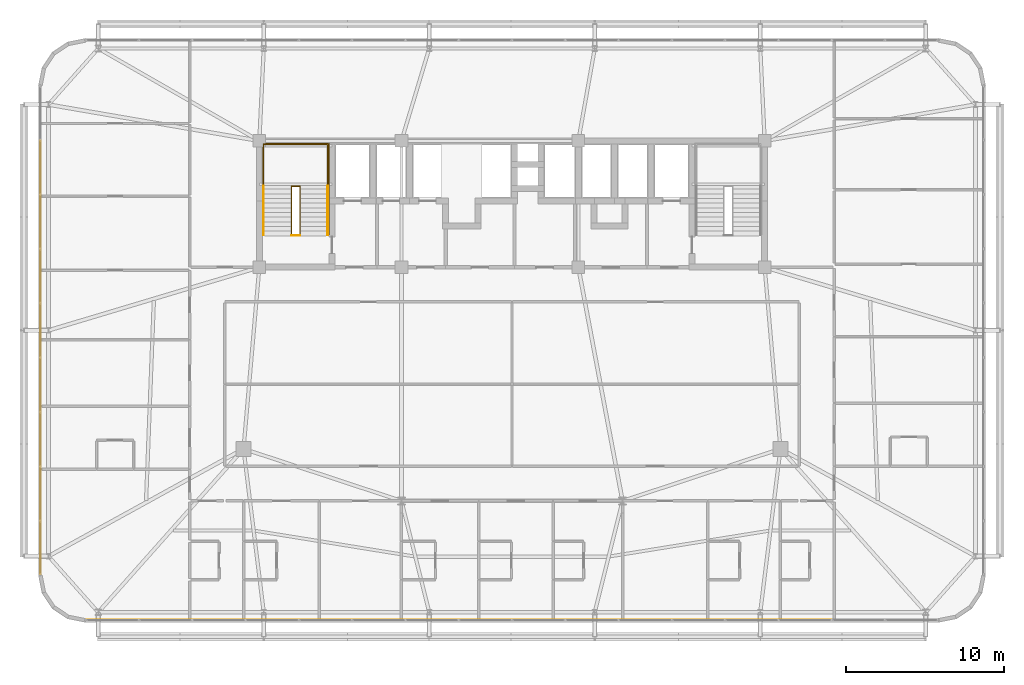
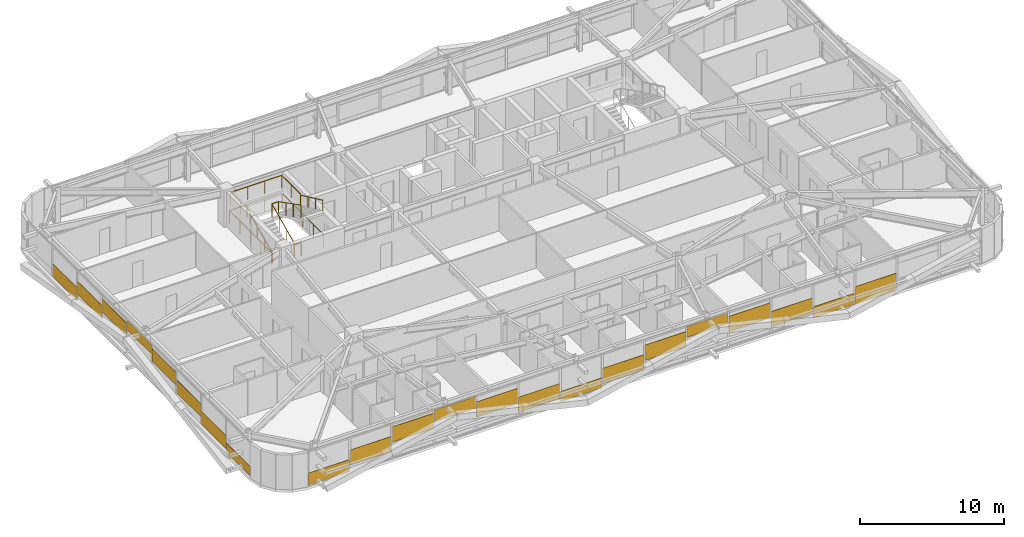
# One storey, part 57 of 59: 22 coverings, 6 railings.
"""IFC4 building model written with IfcOpenShell, lengths in metres."""

from ifc_helpers import new_model, si_unit, direction, frame, origin, origin_2d, place, context, subcontext, project, spatial, rectangle, extrude, source, transform, mapped, material, layer, layer_set, type_object, element, save


model = new_model("IFC4")

# Units and contexts
model_context = context("Model", 3, precision=1e-05, world=origin(), true_north=direction((0.0, 1.0)))
body_context = subcontext(model_context, "Body", "Model", "MODEL_VIEW")
ifc_project = project(units=[si_unit("LENGTHUNIT", "METRE"), si_unit("AREAUNIT", "SQUARE_METRE"), si_unit("VOLUMEUNIT", "CUBIC_METRE"), si_unit("PLANEANGLEUNIT", "RADIAN"), si_unit("MASSUNIT", "GRAM", prefix="KILO")], contexts=[model_context])

# Site, building, storey
site_placement = place(None, origin())
site = spatial("IfcSite", under=ifc_project, at=site_placement, CompositionType="ELEMENT")
building_placement = place(site_placement, origin())
building = spatial("IfcBuilding", under=site, at=building_placement, Name="Taldren Reach Tower", CompositionType="ELEMENT")
storey_placement = place(building_placement, frame((0.0, 0.0, 23.10009765625)))
storey = spatial("IfcBuildingStorey", under=building, at=storey_placement, Name="L06", CompositionType="ELEMENT", Elevation=23.10009765625)

# Railings
ifc_material_1 = material(Name="Steel Gr 350 (C350L0)", Category="steel")
ifc_layer_1 = layer(ifc_material_1, 0.050048828125)
ifc_layer_set_1 = layer_set([ifc_layer_1], Name="Steel Gr 350 (C350L0)")
railing_type_1 = type_object("IfcRailingType", Name="RL-STAIR-GR", PredefinedType="GUARDRAIL", material=ifc_layer_set_1)
railing_1_placement = place(storey_placement, frame((19.260009765625, 29.135009765625, 1.574951171875)))
element("IfcRailing", 1, at=railing_1_placement, inside=storey, type_object=railing_type_1, Name="Stair half-landing perimeter guard ST1-L06", PredefinedType="GUARDRAIL", context=body_context, shape_type="SweptSolid", body=[
    extrude(rectangle(XDim=0.047852, YDim=0.047852, at=origin_2d()), frame((0.0, 0.0, 1.09619140625), z_axis=(0.0, 1.0, 0.0), x_axis=(-1.0, 0.0, 0.0)), (0.0, 0.0, 1.0), 2.64501953125),
    extrude(rectangle(XDim=0.047852, YDim=0.047852, at=origin_2d()), frame((0.0, 2.64501953125, 1.09619140625), z_axis=(1.0, 0.0, 0.0), x_axis=(0.0, 1.0, 0.0)), (0.0, 0.0, 1.0), 4.080078125),
    extrude(rectangle(XDim=0.047852, YDim=0.047852, at=origin_2d()), frame((4.080078125, 2.64501953125, 1.09619140625), z_axis=(0.0, -1.0, 0.0), x_axis=(1.0, 0.0, 0.0)), (0.0, 0.0, 1.0), 2.64501953125),
    extrude(rectangle(XDim=0.041992, YDim=0.041992, at=origin_2d()), origin(), (0.0, 0.0, 1.0), 1.072021484375),
    extrude(rectangle(XDim=0.041992, YDim=0.041992, at=origin_2d()), frame((0.0, 1.322509765625, 0.0)), (0.0, 0.0, 1.0), 1.072021484375),
    extrude(rectangle(XDim=0.041992, YDim=0.041992, at=origin_2d()), frame((0.0, 2.64501953125, 0.0)), (0.0, 0.0, 1.0), 1.072021484375),
    extrude(rectangle(XDim=0.041992, YDim=0.041992, at=origin_2d()), frame((1.360107421875, 2.64501953125, 0.0)), (0.0, 0.0, 1.0), 1.072021484375),
    extrude(rectangle(XDim=0.041992, YDim=0.041992, at=origin_2d()), frame((2.719970703125, 2.64501953125, 0.0)), (0.0, 0.0, 1.0), 1.072021484375),
    extrude(rectangle(XDim=0.041992, YDim=0.041992, at=origin_2d()), frame((4.080078125, 2.64501953125, 0.0)), (0.0, 0.0, 1.0), 1.072021484375),
    extrude(rectangle(XDim=0.041992, YDim=0.041992, at=origin_2d()), frame((4.080078125, 1.322509765625, 0.0)), (0.0, 0.0, 1.0), 1.072021484375),
    extrude(rectangle(XDim=0.041992, YDim=0.041992, at=origin_2d()), frame((4.080078125, 0.0, 0.0)), (0.0, 0.0, 1.0), 1.072021484375),
])
railing_2_placement = place(storey_placement, frame((21.030029296875, 26.050048828125, 0.131103515625)))
element("IfcRailing", 2, at=railing_2_placement, inside=storey, type_object=railing_type_1, Name="Stairwell inner guard ST1-L06", PredefinedType="GUARDRAIL", context=body_context, shape_type="SweptSolid", body=[
    extrude(rectangle(XDim=0.047852, YDim=0.047852, at=origin_2d()), frame((0.0, 0.0, 1.09619140625), z_axis=(0.0, 0.905710134349, 0.423897573167), x_axis=(-1.0, 0.0, 0.0)), (0.0, 0.0, 1.0), 3.406005859375),
    extrude(rectangle(XDim=0.047852, YDim=0.047852, at=origin_2d()), frame((0.0, 3.0849609375, 2.5400390625), z_axis=(1.0, 0.0, 0.0), x_axis=(0.0, 1.0, 0.0)), (0.0, 0.0, 1.0), 0.5400390625),
    extrude(rectangle(XDim=0.047852, YDim=0.047852, at=origin_2d()), frame((0.5400390625, 3.0849609375, 2.5400390625), z_axis=(0.0, -0.890645957773, 0.45469745755), x_axis=(1.0, 0.0, 0.0)), (0.0, 0.0, 1.0), 3.463623046875),
    extrude(rectangle(XDim=0.041992, YDim=0.041992, at=origin_2d()), origin(), (0.0, 0.0, 1.0), 1.072021484375),
    extrude(rectangle(XDim=0.041992, YDim=0.041992, at=origin_2d()), frame((0.0, 1.0283203125, 0.481201171875)), (0.0, 0.0, 1.0), 1.072021484375),
    extrude(rectangle(XDim=0.041992, YDim=0.041992, at=origin_2d()), frame((0.0, 2.056640625, 0.962646484375)), (0.0, 0.0, 1.0), 1.072021484375),
    extrude(rectangle(XDim=0.041992, YDim=0.041992, at=origin_2d()), frame((0.0, 3.0849609375, 1.44384765625)), (0.0, 0.0, 1.0), 1.072021484375),
    extrude(rectangle(XDim=0.041992, YDim=0.041992, at=origin_2d()), frame((0.5400390625, 3.0849609375, 1.44384765625)), (0.0, 0.0, 1.0), 1.072021484375),
    extrude(rectangle(XDim=0.041992, YDim=0.041992, at=origin_2d()), frame((0.5400390625, 2.056640625, 1.96875)), (0.0, 0.0, 1.0), 1.072021484375),
    extrude(rectangle(XDim=0.041992, YDim=0.041992, at=origin_2d()), frame((0.5400390625, 1.0283203125, 2.493896484375)), (0.0, 0.0, 1.0), 1.072021484375),
    extrude(rectangle(XDim=0.041992, YDim=0.041992, at=origin_2d()), frame((0.5400390625, 0.0, 3.018798828125)), (0.0, 0.0, 1.0), 1.072021484375),
])
railing_3_placement = place(storey_placement, frame((21.030029296875, 26.010009765625, 0.0)))
element("IfcRailing", 3, at=railing_3_placement, inside=storey, type_object=railing_type_1, Name="Stairwell landing slot guard ST1-L06", PredefinedType="GUARDRAIL", context=body_context, shape_type="SweptSolid", body=[
    extrude(rectangle(XDim=0.047852, YDim=0.047852, at=origin_2d()), frame((0.0, 0.0, 1.09619140625), z_axis=(1.0, 0.0, 0.0), x_axis=(0.0, 1.0, 0.0)), (0.0, 0.0, 1.0), 0.5400390625),
    extrude(rectangle(XDim=0.041992, YDim=0.041992, at=origin_2d()), origin(), (0.0, 0.0, 1.0), 1.072021484375),
    extrude(rectangle(XDim=0.041992, YDim=0.041992, at=origin_2d()), frame((0.5400390625, 0.0, 0.0)), (0.0, 0.0, 1.0), 1.072021484375),
])
railing_4_placement = place(storey_placement, frame((19.18994140625, 26.050048828125, 0.0)))
element("IfcRailing", 4, at=railing_4_placement, inside=storey, type_object=railing_type_1, Name="Stairwell floor opening guard ST1-L06", PredefinedType="GUARDRAIL", context=body_context, shape_type="SweptSolid", body=[
    extrude(rectangle(XDim=0.047852, YDim=0.047852, at=origin_2d()), frame((0.0, 0.0, 1.09619140625), z_axis=(0.0, 1.0, 0.0), x_axis=(-1.0, 0.0, 0.0)), (0.0, 0.0, 1.0), 5.800048828125),
    extrude(rectangle(XDim=0.047852, YDim=0.047852, at=origin_2d()), frame((0.0, 5.800048828125, 1.09619140625), z_axis=(1.0, 0.0, 0.0), x_axis=(0.0, 1.0, 0.0)), (0.0, 0.0, 1.0), 4.219970703125),
    extrude(rectangle(XDim=0.047852, YDim=0.047852, at=origin_2d()), frame((4.219970703125, 5.800048828125, 1.09619140625), z_axis=(0.0, -1.0, 0.0), x_axis=(1.0, 0.0, 0.0)), (0.0, 0.0, 1.0), 5.800048828125),
    extrude(rectangle(XDim=0.041992, YDim=0.041992, at=origin_2d()), origin(), (0.0, 0.0, 1.0), 1.072021484375),
    extrude(rectangle(XDim=0.041992, YDim=0.041992, at=origin_2d()), frame((0.0, 1.449951171875, 0.0)), (0.0, 0.0, 1.0), 1.072021484375),
    extrude(rectangle(XDim=0.041992, YDim=0.041992, at=origin_2d()), frame((0.0, 2.89990234375, 0.0)), (0.0, 0.0, 1.0), 1.072021484375),
    extrude(rectangle(XDim=0.041992, YDim=0.041992, at=origin_2d()), frame((0.0, 4.35009765625, 0.0)), (0.0, 0.0, 1.0), 1.072021484375),
    extrude(rectangle(XDim=0.041992, YDim=0.041992, at=origin_2d()), frame((0.0, 5.800048828125, 0.0)), (0.0, 0.0, 1.0), 1.072021484375),
    extrude(rectangle(XDim=0.041992, YDim=0.041992, at=origin_2d()), frame((1.40673828125, 5.800048828125, 0.0)), (0.0, 0.0, 1.0), 1.072021484375),
    extrude(rectangle(XDim=0.041992, YDim=0.041992, at=origin_2d()), frame((2.813232421875, 5.800048828125, 0.0)), (0.0, 0.0, 1.0), 1.072021484375),
    extrude(rectangle(XDim=0.041992, YDim=0.041992, at=origin_2d()), frame((4.219970703125, 5.800048828125, 0.0)), (0.0, 0.0, 1.0), 1.072021484375),
    extrude(rectangle(XDim=0.041992, YDim=0.041992, at=origin_2d()), frame((4.219970703125, 4.35009765625, 0.0)), (0.0, 0.0, 1.0), 1.072021484375),
    extrude(rectangle(XDim=0.041992, YDim=0.041992, at=origin_2d()), frame((4.219970703125, 2.89990234375, 0.0)), (0.0, 0.0, 1.0), 1.072021484375),
    extrude(rectangle(XDim=0.041992, YDim=0.041992, at=origin_2d()), frame((4.219970703125, 1.449951171875, 0.0)), (0.0, 0.0, 1.0), 1.072021484375),
    extrude(rectangle(XDim=0.041992, YDim=0.041992, at=origin_2d()), frame((4.219970703125, 0.0, 0.0)), (0.0, 0.0, 1.0), 1.072021484375),
])
ifc_material_2 = material(Name="Stainless Steel Gr 316", Category="steel")
ifc_layer_2 = layer(ifc_material_2, 0.048095703125)
ifc_layer_set_2 = layer_set([ifc_layer_2], Name="Stainless Steel Gr 316")
railing_type_2 = type_object("IfcRailingType", Name="RL-STAIR-HR", PredefinedType="HANDRAIL", material=ifc_layer_set_2)
railing_5_placement = place(storey_placement, frame((19.27001953125, 26.050048828125, 0.131103515625)))
element("IfcRailing", 5, at=railing_5_placement, inside=storey, type_object=railing_type_2, Name="Stair flight handrail ST1-L06-1", PredefinedType="HANDRAIL", context=body_context, shape_type="SweptSolid", body=[
    extrude(rectangle(XDim=0.047852, YDim=0.047852, at=origin_2d()), frame((0.0, 0.0, 0.89599609375), z_axis=(0.0, 0.905710134349, 0.423897573167), x_axis=(-1.0, 0.0, 0.0)), (0.0, 0.0, 1.0), 3.406005859375),
    extrude(rectangle(XDim=0.041992, YDim=0.041992, at=origin_2d()), origin(), (0.0, 0.0, 1.0), 0.871826171875),
    extrude(rectangle(XDim=0.041992, YDim=0.041992, at=origin_2d()), frame((0.0, 1.0283203125, 0.481201171875)), (0.0, 0.0, 1.0), 0.871826171875),
    extrude(rectangle(XDim=0.041992, YDim=0.041992, at=origin_2d()), frame((0.0, 2.056640625, 0.962646484375)), (0.0, 0.0, 1.0), 0.871826171875),
    extrude(rectangle(XDim=0.041992, YDim=0.041992, at=origin_2d()), frame((0.0, 3.0849609375, 1.44384765625)), (0.0, 0.0, 1.0), 0.871826171875),
])
railing_6_placement = place(storey_placement, frame((23.330078125, 29.135009765625, 1.706298828125)))
element("IfcRailing", 6, at=railing_6_placement, inside=storey, type_object=railing_type_2, Name="Stair flight handrail ST1-L06-2", PredefinedType="HANDRAIL", context=body_context, shape_type="SweptSolid", body=[
    extrude(rectangle(XDim=0.047852, YDim=0.047852, at=origin_2d()), frame((0.0, 0.0, 0.89599609375), z_axis=(0.0, -0.905737652094, 0.423838773095), x_axis=(1.0, 0.0, 0.0)), (0.0, 0.0, 1.0), 3.406005859375),
    extrude(rectangle(XDim=0.041992, YDim=0.041992, at=origin_2d()), origin(), (0.0, 0.0, 1.0), 0.871826171875),
    extrude(rectangle(XDim=0.041992, YDim=0.041992, at=origin_2d()), frame((0.0, -1.0283203125, 0.481201171875)), (0.0, 0.0, 1.0), 0.871826171875),
    extrude(rectangle(XDim=0.041992, YDim=0.041992, at=origin_2d()), frame((0.0, -2.056640625, 0.96240234375)), (0.0, 0.0, 1.0), 0.871826171875),
    extrude(rectangle(XDim=0.041992, YDim=0.041992, at=origin_2d()), frame((0.0, -3.0849609375, 1.443603515625)), (0.0, 0.0, 1.0), 0.871826171875),
])

# Coverings
ifc_material_3 = material(Name="Pale Champagne Fluoropolymer Aluminium Spandrel Cladding", Category="aluminium")
ifc_layer_3 = layer(ifc_material_3, 0.0439453125)
ifc_layer_set_3 = layer_set([ifc_layer_3], Name="Pale Champagne Fluoropolymer Aluminium Spandrel Cladding")
covering_type = type_object("IfcCoveringType", Name="CV-CLAD-044", PredefinedType="CLADDING", material=ifc_layer_set_3)
shared_shape_1 = source(origin(), body_context, "Body", "SweptSolid", [
    extrude(rectangle(XDim=3.31005859375, YDim=0.0439453125, at=origin_2d()), origin(), (0.0, 0.0, 1.0), 1.301025390625),
])
for number, where, z_axis, x_axis, name in (
    (7, (13.0625, 1.639892578125, 0.5576171875), (0.0, 0.0, 1.0), (1.0, 0.0, 0.0), "Diagrid closure cladding strip CW-2 panel 2.1 1"),
    (8, (16.4375, 1.639892578125, 1.34033203125), (0.0, 0.0, 1.0), (1.0, 0.0, 0.0), "Diagrid closure cladding strip CW-2 panel 3.1 1"),
    (9, (23.1875, 1.639892578125, 1.09326171875), (0.0, 0.0, 1.0), (1.0, 0.0, 0.0), "Diagrid closure cladding strip CW-2 panel 5.1 1"),
    (10, (26.5625, 1.639892578125, 0.31103515625), (0.0, 0.0, 1.0), (1.0, 0.0, 0.0), "Diagrid closure cladding strip CW-2 panel 6.1 1"),
    (11, (33.3125, 1.639892578125, 0.39306640625), (0.0, 0.0, 1.0), (1.0, 0.0, 0.0), "Diagrid closure cladding strip CW-2 panel 8.1 1"),
    (12, (36.6875, 1.639892578125, 1.17578125), (0.0, 0.0, 1.0), (1.0, 0.0, 0.0), "Diagrid closure cladding strip CW-2 panel 9.1 1"),
    (13, (43.4375, 1.639892578125, 1.2578125), (0.0, 0.0, 1.0), (1.0, 0.0, 0.0), "Diagrid closure cladding strip CW-2 panel 11.1 1"),
    (14, (46.8125, 1.639892578125, 0.4755859375), (0.0, 0.0, 1.0), (1.0, 0.0, 0.0), "Diagrid closure cladding strip CW-2 panel 12.1 1"),
):
    element("IfcCovering", number, at=place(storey_placement, frame(where, z_axis=z_axis, x_axis=x_axis)), inside=storey, type_object=covering_type, Name=name, PredefinedType="CLADDING", context=body_context, shape_type="MappedRepresentation", body=[
        mapped(shared_shape_1, transform((0.0, 0.0, 0.0), scale=1.0)),
    ])
shared_shape_2 = source(origin(), body_context, "Body", "SweptSolid", [
    extrude(rectangle(XDim=3.31005859375, YDim=0.0439453125, at=origin_2d()), origin(), (0.0, 0.0, 1.0), 1.474609375),
])
covering_1_placement = place(storey_placement, frame((53.5625, 1.639892578125, 0.054931640625), z_axis=(0.0, 0.0, 1.0), x_axis=(1.0, 0.0, 0.0)))
element("IfcCovering", 15, at=covering_1_placement, inside=storey, type_object=covering_type, Name="Diagrid closure cladding strip CW-2 panel 14.1 1", PredefinedType="CLADDING", context=body_context, shape_type="MappedRepresentation", body=[
    mapped(shared_shape_2, transform((0.0, 0.0, 0.0), scale=1.0)),
])
shared_shape_3 = source(origin(), body_context, "Body", "SweptSolid", [
    extrude(rectangle(XDim=3.31005859375, YDim=0.0439453125, at=origin_2d()), origin(), (0.0, 0.0, 1.0), 0.93896484375),
])
covering_2_placement = place(storey_placement, frame((50.1875, 1.639892578125, 0.054931640625), z_axis=(0.0, 0.0, 1.0), x_axis=(1.0, 0.0, 0.0)))
element("IfcCovering", 16, at=covering_2_placement, inside=storey, type_object=covering_type, Name="Diagrid closure cladding strip CW-2 panel 13.1 1", PredefinedType="CLADDING", context=body_context, shape_type="MappedRepresentation", body=[
    mapped(shared_shape_3, transform((0.0, 0.0, 0.0), scale=1.0)),
])
shared_shape_4 = source(origin(), body_context, "Body", "SweptSolid", [
    extrude(rectangle(XDim=3.31005859375, YDim=0.0439453125, at=origin_2d()), origin(), (0.0, 0.0, 1.0), 0.916748046875),
])
covering_3_placement = place(storey_placement, frame((40.0625, 1.639892578125, 1.9580078125), z_axis=(0.0, 0.0, 1.0), x_axis=(1.0, 0.0, 0.0)))
element("IfcCovering", 17, at=covering_3_placement, inside=storey, type_object=covering_type, Name="Diagrid closure cladding strip CW-2 panel 10.1 1", PredefinedType="CLADDING", context=body_context, shape_type="MappedRepresentation", body=[
    mapped(shared_shape_4, transform((0.0, 0.0, 0.0), scale=1.0)),
])
shared_shape_5 = source(origin(), body_context, "Body", "SweptSolid", [
    extrude(rectangle(XDim=3.31005859375, YDim=0.0439453125, at=origin_2d()), origin(), (0.0, 0.0, 1.0), 0.856689453125),
])
covering_4_placement = place(storey_placement, frame((29.9375, 1.639892578125, 0.0546875), z_axis=(0.0, 0.0, 1.0), x_axis=(1.0, 0.0, 0.0)))
element("IfcCovering", 18, at=covering_4_placement, inside=storey, type_object=covering_type, Name="Diagrid closure cladding strip CW-2 panel 7.1 1", PredefinedType="CLADDING", context=body_context, shape_type="MappedRepresentation", body=[
    mapped(shared_shape_5, transform((0.0, 0.0, 0.0), scale=1.0)),
])
shared_shape_6 = source(origin(), body_context, "Body", "SweptSolid", [
    extrude(rectangle(XDim=3.31005859375, YDim=0.0439453125, at=origin_2d()), origin(), (0.0, 0.0, 1.0), 0.9990234375),
])
covering_5_placement = place(storey_placement, frame((19.8125, 1.639892578125, 1.8759765625), z_axis=(0.0, 0.0, 1.0), x_axis=(1.0, 0.0, 0.0)))
element("IfcCovering", 19, at=covering_5_placement, inside=storey, type_object=covering_type, Name="Diagrid closure cladding strip CW-2 panel 4.1 1", PredefinedType="CLADDING", context=body_context, shape_type="MappedRepresentation", body=[
    mapped(shared_shape_6, transform((0.0, 0.0, 0.0), scale=1.0)),
])
shared_shape_7 = source(origin(), body_context, "Body", "SweptSolid", [
    extrude(rectangle(XDim=3.277587890625, YDim=0.0439453125, at=origin_2d()), origin(), (0.0, 0.0, 1.0), 1.021240234375),
])
covering_6_placement = place(storey_placement, frame((9.703857421875, 1.639892578125, 0.0546875), z_axis=(0.0, 0.0, 1.0), x_axis=(1.0, 0.0, 0.0)))
element("IfcCovering", 20, at=covering_6_placement, inside=storey, type_object=covering_type, Name="Diagrid closure cladding strip CW-2 panel 1.1 1", PredefinedType="CLADDING", context=body_context, shape_type="MappedRepresentation", body=[
    mapped(shared_shape_7, transform((0.0, 0.0, 0.0), scale=1.0)),
])
shared_shape_8 = source(origin(), body_context, "Body", "SweptSolid", [
    extrude(rectangle(XDim=3.37939453125, YDim=0.0439453125, at=origin_2d()), origin(), (0.0, 0.0, 1.0), 1.1015625),
])
for number, where, z_axis, x_axis, name in (
    (21, (5.139892578125, 30.333251953125, 0.34326171875), (0.0, 0.0, 1.0), (0.0, -1.0, 0.0), "Diagrid closure cladding strip CW-2 panel 2.1 1"),
    (22, (5.139892578125, 26.888916015625, 0.928466796875), (0.0, 0.0, 1.0), (0.0, -1.0, 0.0), "Diagrid closure cladding strip CW-2 panel 3.1 1"),
    (23, (5.139892578125, 23.4443359375, 1.513916015625), (0.0, 0.0, 1.0), (0.0, -1.0, 0.0), "Diagrid closure cladding strip CW-2 panel 4.1 1"),
    (24, (5.139892578125, 16.5556640625, 1.513916015625), (0.0, 0.0, 1.0), (0.0, -1.0, 0.0), "Diagrid closure cladding strip CW-2 panel 6.1 1"),
    (25, (5.139892578125, 13.111083984375, 0.928466796875), (0.0, 0.0, 1.0), (0.0, -1.0, 0.0), "Diagrid closure cladding strip CW-2 panel 7.1 1"),
    (26, (5.139892578125, 9.666748046875, 0.34326171875), (0.0, 0.0, 1.0), (0.0, -1.0, 0.0), "Diagrid closure cladding strip CW-2 panel 8.1 1"),
):
    element("IfcCovering", number, at=place(storey_placement, frame(where, z_axis=z_axis, x_axis=x_axis)), inside=storey, type_object=covering_type, Name=name, PredefinedType="CLADDING", context=body_context, shape_type="MappedRepresentation", body=[
        mapped(shared_shape_8, transform((0.0, 0.0, 0.0), scale=1.0)),
    ])
shared_shape_9 = source(origin(), body_context, "Body", "SweptSolid", [
    extrude(rectangle(XDim=3.346923828125, YDim=0.0439453125, at=origin_2d()), origin(), (0.0, 0.0, 1.0), 0.804443359375),
])
covering_7_placement = place(storey_placement, frame((5.139892578125, 6.238525390625, 0.05517578125), z_axis=(0.0, 0.0, 1.0), x_axis=(0.0, -1.0, 0.0)))
element("IfcCovering", 27, at=covering_7_placement, inside=storey, type_object=covering_type, Name="Diagrid closure cladding strip CW-2 panel 9.1 1", PredefinedType="CLADDING", context=body_context, shape_type="MappedRepresentation", body=[
    mapped(shared_shape_9, transform((0.0, 0.0, 0.0), scale=1.0)),
])
shared_shape_10 = source(origin(), body_context, "Body", "SweptSolid", [
    extrude(rectangle(XDim=3.37939453125, YDim=0.0439453125, at=origin_2d()), origin(), (0.0, 0.0, 1.0), 0.77587890625),
])
covering_8_placement = place(storey_placement, frame((5.139892578125, 20.0, 2.09912109375), z_axis=(0.0, 0.0, 1.0), x_axis=(0.0, -1.0, 0.0)))
element("IfcCovering", 28, at=covering_8_placement, inside=storey, type_object=covering_type, Name="Diagrid closure cladding strip CW-2 panel 5.1 1", PredefinedType="CLADDING", context=body_context, shape_type="MappedRepresentation", body=[
    mapped(shared_shape_10, transform((0.0, 0.0, 0.0), scale=1.0)),
])

save(model, "model.ifc")
